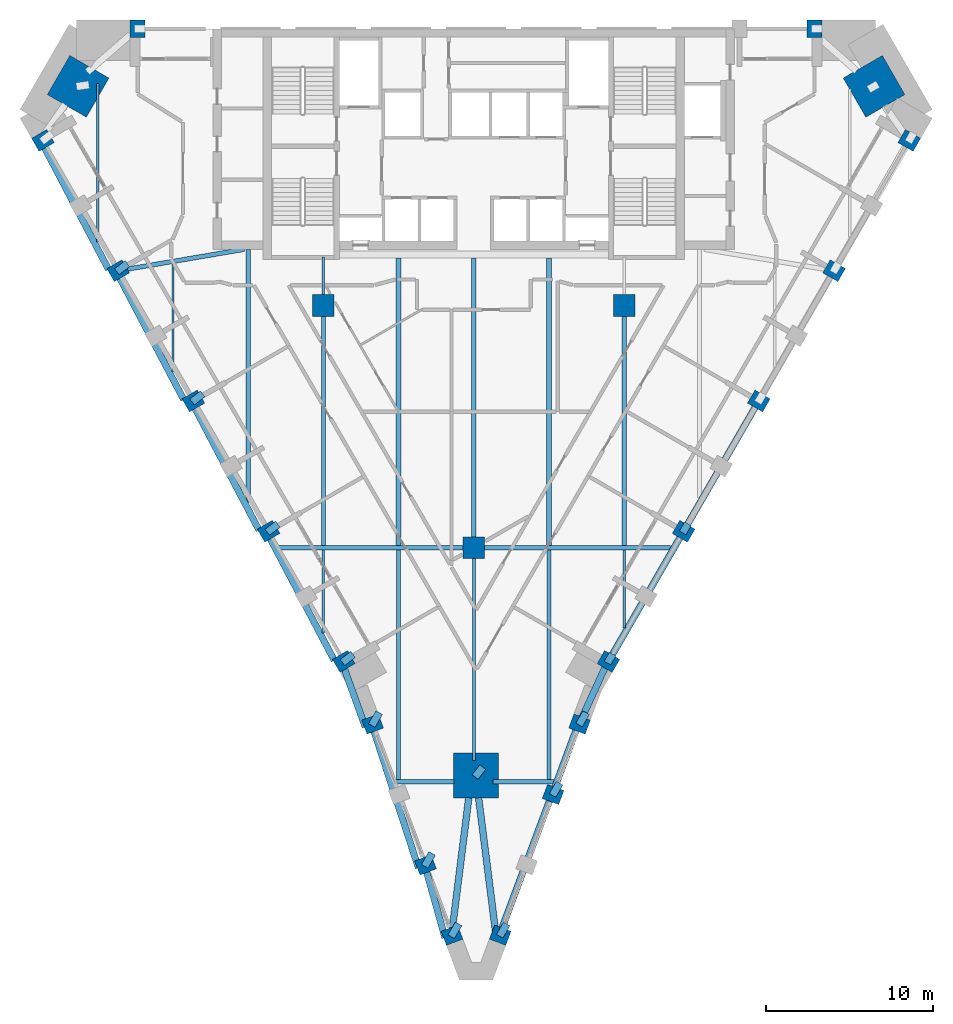
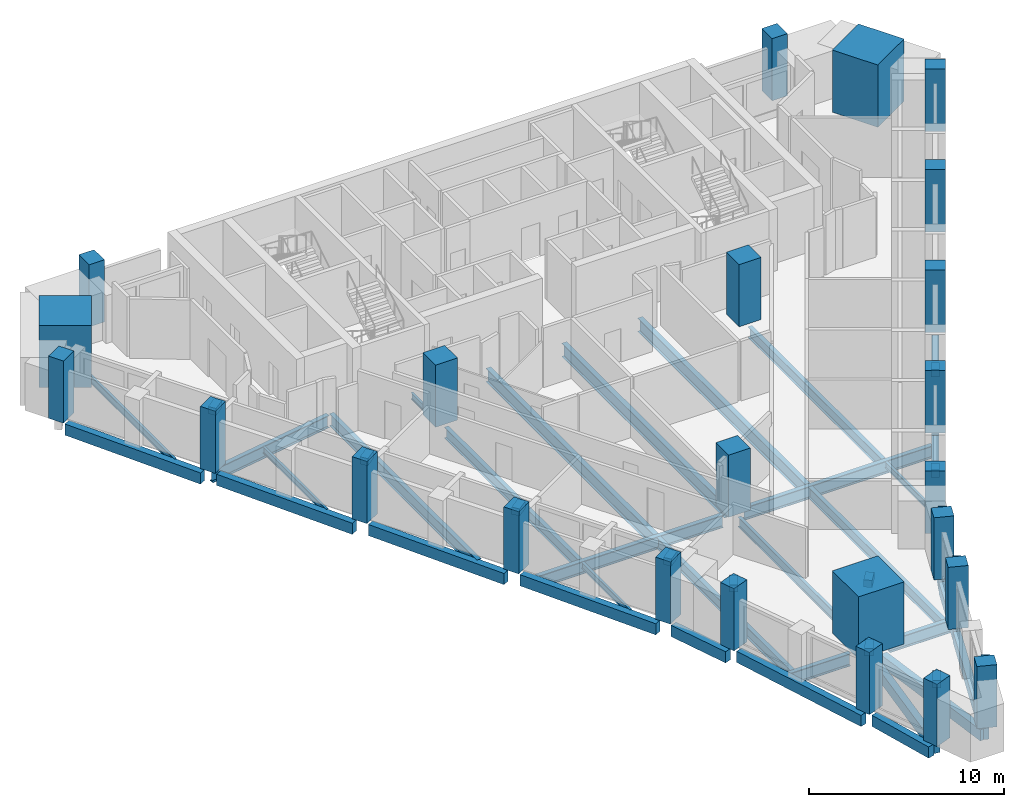
# One storey, part 1 of 10: 46 beams, 24 columns.
"""IFC4 building model written with IfcOpenShell, lengths in metres."""

import ifcopenshell
import ifcopenshell.guid

model = None  # the IFC model being written
_history = None  # IfcOwnerHistory: only IFC2X3 demands one
_inside = {}  # id of a spatial element -> (the spatial element, [elements in it])
_under = {}  # id of a project, library or spatial element -> (it, [spatial elements below it])
_declared = {}  # id of a project -> (the project, [libraries it declares])
_typed = {}  # id of a type object -> (the type object, [elements of that type])
_made_of = {}  # id of a material, layer set ... -> (it, [elements and type objects made of it])


def new_model(schema):
    """Start an empty IFC model of exactly this schema.

    Asked for "IFC4X3", IfcOpenShell would pick the latest addendum, in which some entities
    have other attributes; the version numbers below select the first issue.
    IFC2X3 requires an IfcOwnerHistory on every rooted entity: one is made here for all.
    """
    global model, _history
    if schema == "IFC4X3":
        model = ifcopenshell.file(schema_version=(4, 3, 0, 0))
    else:
        model = ifcopenshell.file(schema=schema)
    _inside.clear()
    _under.clear()
    _declared.clear()
    _typed.clear()
    _made_of.clear()
    _history = None
    if model.schema == "IFC2X3":
        org = make("IfcOrganization", Name="unknown")
        user = make(
            "IfcPersonAndOrganization",
            ThePerson=make("IfcPerson", FamilyName="unknown"),
            TheOrganization=org,
        )
        app = make(
            "IfcApplication",
            ApplicationDeveloper=org,
            Version="unknown",
            ApplicationFullName="unknown",
            ApplicationIdentifier="unknown",
        )
        _history = make(
            "IfcOwnerHistory",
            OwningUser=user,
            OwningApplication=app,
            ChangeAction="ADDED",
            CreationDate=0,
        )
    return model


def make(cls, **values):
    """One entity of the class cls with the attributes given. An attribute that is None is left unset."""
    return model.create_entity(
        cls, **{name: value for name, value in values.items() if value is not None}
    )


def rooted(cls, **values):
    """An entity with a GlobalId (a new one), such as an element, a storey or a relation."""
    return make(cls, GlobalId=ifcopenshell.guid.new(), OwnerHistory=_history, **values)


def si_unit(unit_type, name, prefix=None):
    """IfcSIUnit, for example si_unit("LENGTHUNIT", "METRE", prefix="MILLI")."""
    return make("IfcSIUnit", UnitType=unit_type, Prefix=prefix, Name=name)


def assignment(units):
    """IfcUnitAssignment: the units of a project."""
    return None if units is None else make("IfcUnitAssignment", Units=units)


def point(xyz):
    """IfcCartesianPoint."""
    return None if xyz is None else make("IfcCartesianPoint", Coordinates=xyz)


def direction(xyz):
    """IfcDirection."""
    return None if xyz is None else make("IfcDirection", DirectionRatios=xyz)


def frame(location, z_axis=None, x_axis=None):
    """IfcAxis2Placement3D, a coordinate frame: its origin and axes. An axis left out is left unset."""
    return make(
        "IfcAxis2Placement3D",
        Location=point(location),
        Axis=direction(z_axis),
        RefDirection=direction(x_axis),
    )


def frame_2d(location, x_axis=None):
    """IfcAxis2Placement2D, a coordinate frame in the plane: its origin and x axis."""
    return make(
        "IfcAxis2Placement2D", Location=point(location), RefDirection=direction(x_axis)
    )


def origin():
    """The frame at (0, 0, 0) with its axes left unset."""
    return frame((0.0, 0.0, 0.0))


def origin_2d():
    """The frame at (0, 0) in the plane with its x axis left unset."""
    return frame_2d((0.0, 0.0))


def place(relative_to, where):
    """IfcLocalPlacement: puts the frame where relative to a parent placement (None: the world)."""
    return make(
        "IfcLocalPlacement", PlacementRelTo=relative_to, RelativePlacement=where
    )


def context(
    kind, dimensions, precision=None, world=None, true_north=None, identifier=None
):
    """IfcGeometricRepresentationContext, for example the 3D "Model" context."""
    return make(
        "IfcGeometricRepresentationContext",
        ContextIdentifier=identifier,
        ContextType=kind,
        CoordinateSpaceDimension=dimensions,
        Precision=precision,
        WorldCoordinateSystem=world,
        TrueNorth=true_north,
    )


def subcontext(parent, identifier, kind, view, scale=None):
    """IfcGeometricRepresentationSubContext, for example "Body" below "Model"."""
    return make(
        "IfcGeometricRepresentationSubContext",
        ContextIdentifier=identifier,
        ContextType=kind,
        ParentContext=parent,
        TargetScale=scale,
        TargetView=view,
    )


def project(units=None, contexts=None):
    """IfcProject with its units and contexts."""
    return rooted(
        "IfcProject",
        Name="project",
        RepresentationContexts=contexts,
        UnitsInContext=assignment(units),
    )


def spatial(cls, under=None, at=None, **own):
    """A site, building, storey or space (cls), placed at a placement, below another one or the project."""
    s = rooted(cls, ObjectPlacement=at, **own)
    if under is not None:
        _under.setdefault(under.id(), (under, []))[1].append(s)
    return s


def profile(cls, at=None, kind="AREA", **sizes):
    """A parametric profile (cls). Its sizes go by their IFC names, for example OverallWidth=200.0."""
    return make(cls, ProfileType=kind, Position=at, **sizes)


def rectangle(**sizes):
    """IfcRectangleProfileDef."""
    return profile("IfcRectangleProfileDef", **sizes)


def i_section(**sizes):
    """IfcIShapeProfileDef."""
    return profile("IfcIShapeProfileDef", **sizes)


def extrude(swept, where, along, depth):
    """IfcExtrudedAreaSolid: the profile swept, set in the frame where, extruded along a direction by depth."""
    return make(
        "IfcExtrudedAreaSolid",
        SweptArea=swept,
        Position=where,
        ExtrudedDirection=direction(along),
        Depth=depth,
    )


def shape(context_of_items, identifier, shape_type, items):
    """IfcShapeRepresentation: the items that make up one representation, for example the "Body"."""
    return make(
        "IfcShapeRepresentation",
        ContextOfItems=context_of_items,
        RepresentationIdentifier=identifier,
        RepresentationType=shape_type,
        Items=items,
    )


def material(Name=None, Category=None):
    """IfcMaterial."""
    return make("IfcMaterial", Name=Name, Category=Category)


def material_profile(
    of_material, cross_section, Name=None, Category=None, Priority=None
):
    """IfcMaterialProfile: a cross section and its material."""
    return make(
        "IfcMaterialProfile",
        Name=Name,
        Material=of_material,
        Profile=cross_section,
        Priority=Priority,
        Category=Category,
    )


def profile_set(profiles, Name=None, composite=None):
    """IfcMaterialProfileSet."""
    return make(
        "IfcMaterialProfileSet",
        Name=Name,
        MaterialProfiles=profiles,
        CompositeProfile=composite,
    )


def made_of(thing, what):
    """Note that an element or type object is made of a material, layer set ...; save() writes the relation."""
    if what is not None:
        _made_of.setdefault(what.id(), (what, []))[1].append(thing)
    return thing


def type_object(cls, material=None, **own):
    """A type object (cls), such as IfcWallType, which elements share."""
    return made_of(rooted(cls, **own), material)


def element(
    cls,
    number,
    at=None,
    inside=None,
    cuts=None,
    type_object=None,
    material=None,
    context=None,
    identifier="Body",
    shape_type=None,
    held_by="IfcProductDefinitionShape",
    body=None,
    shapes=None,
    **own,
):
    """One element of the class cls, such as IfcWall. Its Tag is "e" and its number.

    at: its placement. inside: the storey or other place that contains it. cuts: it is an
    opening in that element (IfcRelVoidsElement). A single representation is given by context,
    identifier, shape_type and body (its items); several are given by shapes. held_by: the class
    of the entity that holds the representations. save() writes the other relations.
    """
    e = rooted(cls, Tag="e%d" % number, ObjectPlacement=at, **own)
    if body is not None:
        shapes = [shape(context, identifier, shape_type, body)]
    if shapes is not None:
        e.Representation = make(held_by, Representations=shapes)
    if inside is not None:
        _inside.setdefault(inside.id(), (inside, []))[1].append(e)
    if cuts is not None:
        rooted(
            "IfcRelVoidsElement", RelatingBuildingElement=cuts, RelatedOpeningElement=e
        )
    if type_object is not None:
        _typed.setdefault(type_object.id(), (type_object, []))[1].append(e)
    return made_of(e, material)


def aggregate(whole, parts):
    """IfcRelAggregates: a whole, such as a stair, and the parts it consists of."""
    return rooted("IfcRelAggregates", RelatingObject=whole, RelatedObjects=parts)


def save(model, path):
    """Write the relations noted so far, then the file.

    IfcRelAggregates (storeys below a building ...), IfcRelContainedInSpatialStructure (elements
    in a storey), IfcRelDefinesByType, IfcRelAssociatesMaterial and IfcRelDeclares: one each for
    every whole, place, type object, material and project.
    """
    for whole, parts in _under.values():
        aggregate(whole, parts)
    for where, things in _inside.values():
        rooted(
            "IfcRelContainedInSpatialStructure",
            RelatedElements=things,
            RelatingStructure=where,
        )
    for kind, things in _typed.values():
        rooted("IfcRelDefinesByType", RelatedObjects=things, RelatingType=kind)
    for what, things in _made_of.values():
        rooted("IfcRelAssociatesMaterial", RelatedObjects=things, RelatingMaterial=what)
    for by, libraries in _declared.values():
        rooted("IfcRelDeclares", RelatingContext=by, RelatedDefinitions=libraries)
    model.write(path)


model = new_model("IFC4")

# Units and contexts
model_context = context("Model", 3, precision=1e-05, world=origin(), true_north=direction((0.0, 1.0)))
body_context = subcontext(model_context, "Body", "Model", "MODEL_VIEW")
ifc_project = project(units=[si_unit("LENGTHUNIT", "METRE"), si_unit("AREAUNIT", "SQUARE_METRE"), si_unit("VOLUMEUNIT", "CUBIC_METRE"), si_unit("PLANEANGLEUNIT", "RADIAN"), si_unit("MASSUNIT", "GRAM", prefix="KILO")], contexts=[model_context])

# Site, building, storey
site_placement = place(None, origin())
site = spatial("IfcSite", under=ifc_project, at=site_placement, CompositionType="ELEMENT")
building_placement = place(site_placement, origin())
building = spatial("IfcBuilding", under=site, at=building_placement, Name="Calabash Gate Tower", CompositionType="ELEMENT")
storey_placement = place(building_placement, frame((0.0, 0.0, 164.10009765625)))
storey = spatial("IfcBuildingStorey", under=building, at=storey_placement, Name="L38", CompositionType="ELEMENT", Elevation=164.10009765625)

# Columns
ifc_material_1 = material(Name="Concrete C70/85", Category="concrete")
ifc_material_profile_1 = material_profile(ifc_material_1, rectangle(XDim=1.300048828125, YDim=1.300048828125, at=origin_2d()))
ifc_profile_set_1 = profile_set([ifc_material_profile_1], Name="Concrete C70/85")
column_type_1 = type_object("IfcColumnType", Name="Interior column RC 1300x1300 Concrete C70/85", PredefinedType="COLUMN", material=ifc_profile_set_1)
for number, where, z_axis, x_axis, name in (
    (1, (-9.0, 2.5, 0.0), (0.0, 0.0, 1.0), (1.0, 0.0, 0.0), "Interior column L38 I0"),
    (2, (9.0, 2.5, 0.0), (0.0, 0.0, 1.0), (1.0, 0.0, 0.0), "Interior column L38 I1"),
    (3, (0.0, -12.0, 0.0), (0.0, 0.0, 1.0), (1.0, 0.0, 0.0), "Interior column L38 I2"),
):
    element("IfcColumn", number, at=place(storey_placement, frame(where, z_axis=z_axis, x_axis=x_axis)), inside=storey, type_object=column_type_1, Name=name, PredefinedType="COLUMN", context=body_context, shape_type="SweptSolid", body=[
        extrude(rectangle(XDim=1.300048828125, YDim=1.300048828125, at=origin_2d()), origin(), (0.0, 0.0, 1.0), 3.89990234375),
    ])
ifc_material_2 = material(Name="Concrete C70/85", Category="concrete")
ifc_material_profile_2 = material_profile(ifc_material_2, rectangle(XDim=2.699951171875, YDim=2.699951171875, at=origin_2d()))
ifc_profile_set_2 = profile_set([ifc_material_profile_2], Name="Concrete C70/85")
column_type_2 = type_object("IfcColumnType", Name="Mega column RC 2700x2700 Concrete C70/85", PredefinedType="COLUMN", material=ifc_profile_set_2)
for number, where, z_axis, x_axis, name in (
    (4, (-23.674072265625, 15.610107421875, 0.0), (0.0, 0.0, 1.0), (0.866025386331, -0.50000003023, 0.0), "Mega column L38 NW"),
    (5, (23.948974609375, 15.610107421875, 0.0), (0.0, 0.0, 1.0), (-0.866025386331, -0.50000003023, 0.0), "Mega column L38 NE"),
    (6, (0.136962890625, -25.633056640625, 0.0), (0.0, 0.0, 1.0), (0.0, 1.0, 0.0), "Mega column L38 S"),
):
    element("IfcColumn", number, at=place(storey_placement, frame(where, z_axis=z_axis, x_axis=x_axis)), inside=storey, type_object=column_type_2, Name=name, PredefinedType="COLUMN", context=body_context, shape_type="SweptSolid", body=[
        extrude(rectangle(XDim=2.699951171875, YDim=2.699951171875, at=origin_2d()), origin(), (0.0, 0.0, 1.0), 3.89990234375),
    ])
ifc_material_3 = material(Name="Concrete C60/75", Category="concrete")
ifc_material_profile_3 = material_profile(ifc_material_3, rectangle(XDim=0.89990234375, YDim=1.050048828125, at=origin_2d()))
ifc_profile_set_3 = profile_set([ifc_material_profile_3], Name="Concrete C60/75")
column_type_3 = type_object("IfcColumnType", Name="Perimeter column RC 900x1050 Concrete C60/75", PredefinedType="COLUMN", material=ifc_profile_set_3)
for number, where, z_axis, x_axis, name in (
    (7, (-25.779052734375, 12.3720703125, 0.0), (0.0, 0.0, 1.0), (0.499999984885, -0.866025412511, 0.0), "Perimeter column L38 P20"),
    (8, (-21.279052734375, 4.576904296875, 0.0), (0.0, 0.0, 1.0), (0.499999984885, -0.866025412511, 0.0), "Perimeter column L38 P00"),
    (9, (-16.779052734375, -3.217041015625, 0.0), (0.0, 0.0, 1.0), (0.499999984885, -0.866025412511, 0.0), "Perimeter column L38 P01"),
    (10, (-12.279052734375, -11.010986328125, 0.0), (0.0, 0.0, 1.0), (0.499999984885, -0.866025412511, 0.0), "Perimeter column L38 P02"),
    (11, (-7.779052734375, -18.802978515625, 0.0), (0.0, 0.0, 1.0), (0.499999984885, -0.866025412511, 0.0), "Perimeter column L38 P03"),
    (12, (-6.053955078125, -22.5439453125, 0.0), (0.0, 0.0, 1.0), (0.351822500991, -0.936066732555, 0.0), "Perimeter column L38 P25"),
    (13, (-2.887939453125, -30.968994140625, 0.0), (0.0, 0.0, 1.0), (0.351822500991, -0.936066732555, 0.0), "Perimeter column L38 P26"),
    (14, (-1.303955078125, -35.180908203125, 0.0), (0.0, 0.0, 1.0), (0.351822500991, -0.936066732555, 0.0), "Perimeter column L38 P27"),
    (15, (1.5791015625, -35.180908203125, 0.0), (0.0, 0.0, 1.0), (0.351822451979, 0.936066750977, 0.0), "Perimeter column L38 P28"),
    (16, (4.74609375, -26.757080078125, 0.0), (0.0, 0.0, 1.0), (0.351822451979, 0.936066750977, 0.0), "Perimeter column L38 P08"),
    (17, (6.3291015625, -22.5439453125, 0.0), (0.0, 0.0, 1.0), (0.351822451979, 0.936066750977, 0.0), "Perimeter column L38 P29"),
    (18, (8.053955078125, -18.802978515625, 0.0), (0.0, 0.0, 1.0), (0.500000015115, 0.866025395058, 0.0), "Perimeter column L38 P09"),
    (19, (12.553955078125, -11.010986328125, 0.0), (0.0, 0.0, 1.0), (0.500000015115, 0.866025395058, 0.0), "Perimeter column L38 P10"),
    (20, (17.053955078125, -3.217041015625, 0.0), (0.0, 0.0, 1.0), (0.500000015115, 0.866025395058, 0.0), "Perimeter column L38 P11"),
    (21, (21.553955078125, 4.576904296875, 0.0), (0.0, 0.0, 1.0), (0.500000015115, 0.866025395058, 0.0), "Perimeter column L38 P12"),
    (22, (26.053955078125, 12.3720703125, 0.0), (0.0, 0.0, 1.0), (0.500000015115, 0.866025395058, 0.0), "Perimeter column L38 P13"),
    (23, (20.386962890625, 19.052978515625, 0.0), (0.0, 0.0, 1.0), (-1.0, 0.0, 0.0), "Perimeter column L38 P24"),
    (24, (-20.113037109375, 19.052978515625, 0.0), (0.0, 0.0, 1.0), (-1.0, 0.0, 0.0), "Perimeter column L38 P17"),
):
    element("IfcColumn", number, at=place(storey_placement, frame(where, z_axis=z_axis, x_axis=x_axis)), inside=storey, type_object=column_type_3, Name=name, PredefinedType="COLUMN", context=body_context, shape_type="SweptSolid", body=[
        extrude(rectangle(XDim=0.89990234375, YDim=1.050048828125, at=origin_2d()), origin(), (0.0, 0.0, 1.0), 3.89990234375),
    ])

# Beams
ifc_material_4 = material(Name="Concrete C80/95", Category="concrete")
ifc_material_profile_4 = material_profile(ifc_material_4, rectangle(XDim=0.449951171875, YDim=0.449951171875, at=origin_2d()))
ifc_profile_set_4 = profile_set([ifc_material_profile_4], Name="Concrete C80/95")
beam_type_1 = type_object("IfcBeamType", Name="Column offset link RC 450x450 Concrete C80/95", PredefinedType="BEAM", material=ifc_profile_set_4)
beam_1_placement = place(storey_placement, frame((-21.35888671875, 4.51708984375, 3.50390625), z_axis=(0.796457244667, 0.604694846528, 0.0), x_axis=(-0.604694846528, 0.796457244667, 0.0)))
element("IfcBeam", 25, at=beam_1_placement, inside=storey, type_object=beam_type_1, Name="Column offset link L38 P00", PredefinedType="BEAM", context=body_context, shape_type="SweptSolid", body=[
    extrude(rectangle(XDim=0.449951171875, YDim=0.449951171875, at=origin_2d()), origin(), (0.0, 0.0, 1.0), 0.796875),
])
beam_2_placement = place(storey_placement, frame((-16.85888671875, -3.277099609375, 3.50390625), z_axis=(0.795129751107, 0.606439344786, 0.0), x_axis=(-0.606439344786, 0.795129751107, 0.0)))
element("IfcBeam", 26, at=beam_2_placement, inside=storey, type_object=beam_type_1, Name="Column offset link L38 P01", PredefinedType="BEAM", context=body_context, shape_type="SweptSolid", body=[
    extrude(rectangle(XDim=0.449951171875, YDim=0.449951171875, at=origin_2d()), origin(), (0.0, 0.0, 1.0), 0.79833984375),
])
for number, where, z_axis, x_axis, name in (
    (27, (-12.35888671875, -11.072021484375, 3.50390625), (0.795867172956, 0.605471256965, 0.0), (-0.605471256965, 0.795867172956, 0.0), "Column offset link L38 P02"),
    (28, (-7.85888671875, -18.865966796875, 3.50390625), (0.795867172956, 0.605471256965, 0.0), (-0.605471256965, 0.795867172956, 0.0), "Column offset link L38 P03"),
):
    element("IfcBeam", number, at=place(storey_placement, frame(where, z_axis=z_axis, x_axis=x_axis)), inside=storey, type_object=beam_type_1, Name=name, PredefinedType="BEAM", context=body_context, shape_type="SweptSolid", body=[
        extrude(rectangle(XDim=0.449951171875, YDim=0.449951171875, at=origin_2d()), origin(), (0.0, 0.0, 1.0), 0.797607421875),
    ])
beam_3_placement = place(storey_placement, frame((4.7119140625, -26.81591796875, 3.50390625), z_axis=(0.499433358528, 0.866352307315, 0.0), x_axis=(-0.866352307315, 0.499433358528, 0.0)))
element("IfcBeam", 29, at=beam_3_placement, inside=storey, type_object=beam_type_1, Name="Column offset link L38 P08", PredefinedType="BEAM", context=body_context, shape_type="SweptSolid", body=[
    extrude(rectangle(XDim=0.449951171875, YDim=0.449951171875, at=origin_2d()), origin(), (0.0, 0.0, 1.0), 0.85302734375),
])
beam_4_placement = place(storey_placement, frame((7.998046875, -18.903076171875, 3.50390625), z_axis=(0.499554821267, 0.866282275329, 0.0), x_axis=(-0.866282275329, 0.499554821267, 0.0)))
element("IfcBeam", 30, at=beam_4_placement, inside=storey, type_object=beam_type_1, Name="Column offset link L38 P09", PredefinedType="BEAM", context=body_context, shape_type="SweptSolid", body=[
    extrude(rectangle(XDim=0.449951171875, YDim=0.449951171875, at=origin_2d()), origin(), (0.0, 0.0, 1.0), 0.63037109375),
])
beam_5_placement = place(storey_placement, frame((12.498046875, -11.10888671875, 3.50390625), z_axis=(0.49972245349, 0.866185586049, 0.0), x_axis=(-0.866185586049, 0.49972245349, 0.0)))
element("IfcBeam", 31, at=beam_5_placement, inside=storey, type_object=beam_type_1, Name="Column offset link L38 P10", PredefinedType="BEAM", context=body_context, shape_type="SweptSolid", body=[
    extrude(rectangle(XDim=0.449951171875, YDim=0.449951171875, at=origin_2d()), origin(), (0.0, 0.0, 1.0), 0.630126953125),
])
beam_6_placement = place(storey_placement, frame((-6.10400390625, -22.631103515625, 3.50390625), z_axis=(0.498688521036, 0.866781263634, 0.0), x_axis=(-0.866781263634, 0.498688521036, 0.0)))
element("IfcBeam", 32, at=beam_6_placement, inside=storey, type_object=beam_type_1, Name="Column offset link L38 P25", PredefinedType="BEAM", context=body_context, shape_type="SweptSolid", body=[
    extrude(rectangle(XDim=0.449951171875, YDim=0.449951171875, at=origin_2d()), origin(), (0.0, 0.0, 1.0), 0.88623046875),
])
beam_7_placement = place(storey_placement, frame((-2.93798828125, -31.055908203125, 3.50390625), z_axis=(0.502447992407, 0.864607433999, 0.0), x_axis=(-0.864607433999, 0.502447992407, 0.0)))
element("IfcBeam", 33, at=beam_7_placement, inside=storey, type_object=beam_type_1, Name="Column offset link L38 P26", PredefinedType="BEAM", context=body_context, shape_type="SweptSolid", body=[
    extrude(rectangle(XDim=0.449951171875, YDim=0.449951171875, at=origin_2d()), origin(), (0.0, 0.0, 1.0), 0.8857421875),
])
beam_8_placement = place(storey_placement, frame((-1.35400390625, -35.26806640625, 3.50390625), z_axis=(0.499642793338, 0.866231538947, 0.0), x_axis=(-0.866231538947, 0.499642793338, 0.0)))
element("IfcBeam", 34, at=beam_8_placement, inside=storey, type_object=beam_type_1, Name="Column offset link L38 P27", PredefinedType="BEAM", context=body_context, shape_type="SweptSolid", body=[
    extrude(rectangle(XDim=0.449951171875, YDim=0.449951171875, at=origin_2d()), origin(), (0.0, 0.0, 1.0), 0.884521484375),
])
beam_9_placement = place(storey_placement, frame((1.547119140625, -35.239990234375, 3.50390625), z_axis=(0.497991373669, 0.867181983065, 0.0), x_axis=(-0.867181983065, 0.497991373669, 0.0)))
element("IfcBeam", 35, at=beam_9_placement, inside=storey, type_object=beam_type_1, Name="Column offset link L38 P28", PredefinedType="BEAM", context=body_context, shape_type="SweptSolid", body=[
    extrude(rectangle(XDim=0.449951171875, YDim=0.449951171875, at=origin_2d()), origin(), (0.0, 0.0, 1.0), 0.85107421875),
])
beam_10_placement = place(storey_placement, frame((6.297119140625, -22.60302734375, 3.50390625), z_axis=(0.497001971975, 0.867749410747, 0.0), x_axis=(-0.867749410747, 0.497001971975, 0.0)))
element("IfcBeam", 36, at=beam_10_placement, inside=storey, type_object=beam_type_1, Name="Column offset link L38 P29", PredefinedType="BEAM", context=body_context, shape_type="SweptSolid", body=[
    extrude(rectangle(XDim=0.449951171875, YDim=0.449951171875, at=origin_2d()), origin(), (0.0, 0.0, 1.0), 0.852783203125),
])
beam_11_placement = place(storey_placement, frame((0.075927734375, -25.7109375, 3.50390625), z_axis=(0.6177499422, 0.786374598338, 0.0), x_axis=(-0.786374598338, 0.6177499422, 0.0)))
element("IfcBeam", 37, at=beam_11_placement, inside=storey, type_object=beam_type_1, Name="Column offset link L38 S", PredefinedType="BEAM", context=body_context, shape_type="SweptSolid", body=[
    extrude(rectangle(XDim=0.449951171875, YDim=0.449951171875, at=origin_2d()), origin(), (0.0, 0.0, 1.0), 0.7529296875),
])
ifc_material_5 = material(Name="Concrete C50/60", Category="concrete")
ifc_material_profile_5 = material_profile(ifc_material_5, rectangle(XDim=0.39990234375, YDim=0.699951171875, at=origin_2d()))
ifc_profile_set_5 = profile_set([ifc_material_profile_5], Name="Concrete C50/60")
beam_type_2 = type_object("IfcBeamType", Name="Edge beam RC 400x700 Concrete C50/60", PredefinedType="BEAM", material=ifc_profile_set_5)
beam_12_placement = place(storey_placement, frame((-16.68408203125, -3.65087890625, -0.52001953125), z_axis=(0.465570473205, -0.885010810374, 0.0), x_axis=(0.885010810374, 0.465570473205, 0.0)))
element("IfcBeam", 38, at=beam_12_placement, inside=storey, type_object=beam_type_2, Name="Edge beam L38 1", PredefinedType="BEAM", context=body_context, shape_type="SweptSolid", body=[
    extrude(rectangle(XDim=0.39990234375, YDim=0.699951171875, at=origin_2d()), origin(), (0.0, 0.0, 1.0), 8.235107421875),
])
beam_13_placement = place(storey_placement, frame((-12.18408203125, -11.443115234375, -0.52001953125), z_axis=(0.465484978649, -0.885055780532, 0.0), x_axis=(0.885055780532, 0.465484978649, 0.0)))
element("IfcBeam", 39, at=beam_13_placement, inside=storey, type_object=beam_type_2, Name="Edge beam L38 2", PredefinedType="BEAM", context=body_context, shape_type="SweptSolid", body=[
    extrude(rectangle(XDim=0.39990234375, YDim=0.699951171875, at=origin_2d()), origin(), (0.0, 0.0, 1.0), 8.236572265625),
])
beam_14_placement = place(storey_placement, frame((-7.73291015625, -19.26904296875, -0.52001953125), z_axis=(0.338776020722, -0.940867051067, 0.0), x_axis=(0.940867051067, 0.338776020722, 0.0)))
element("IfcBeam", 40, at=beam_14_placement, inside=storey, type_object=beam_type_2, Name="Edge beam L38 3", PredefinedType="BEAM", context=body_context, shape_type="SweptSolid", body=[
    extrude(rectangle(XDim=0.39990234375, YDim=0.699951171875, at=origin_2d()), origin(), (0.0, 0.0, 1.0), 3.6689453125),
])
beam_15_placement = place(storey_placement, frame((-5.970947265625, -22.962890625, -0.52001953125), z_axis=(0.309089924102, -0.951032816899, 0.0), x_axis=(0.951032816899, 0.309089924102, 0.0)))
element("IfcBeam", 41, at=beam_15_placement, inside=storey, type_object=beam_type_2, Name="Edge beam L38 4", PredefinedType="BEAM", context=body_context, shape_type="SweptSolid", body=[
    extrude(rectangle(XDim=0.39990234375, YDim=0.699951171875, at=origin_2d()), origin(), (0.0, 0.0, 1.0), 8.599365234375),
])
beam_16_placement = place(storey_placement, frame((-2.81591796875, -31.406005859375, -0.52001953125), z_axis=(0.269004169769, -0.963139012109, 0.0), x_axis=(0.963139012109, 0.269004169769, 0.0)))
element("IfcBeam", 42, at=beam_16_placement, inside=storey, type_object=beam_type_2, Name="Edge beam L38 5", PredefinedType="BEAM", context=body_context, shape_type="SweptSolid", body=[
    extrude(rectangle(XDim=0.39990234375, YDim=0.699951171875, at=origin_2d()), origin(), (0.0, 0.0, 1.0), 4.081298828125),
])
beam_17_placement = place(storey_placement, frame((-1.3330078125, -35.196044921875, -0.52001953125), z_axis=(0.124240929665, 0.99225208057, 0.0), x_axis=(-0.99225208057, 0.124240929665, 0.0)))
element("IfcBeam", 43, at=beam_17_placement, inside=storey, type_object=beam_type_2, Name="Edge beam L38 6", PredefinedType="BEAM", context=body_context, shape_type="SweptSolid", body=[
    extrude(rectangle(XDim=0.39990234375, YDim=0.699951171875, at=origin_2d()), origin(), (0.0, 0.0, 1.0), 8.306396484375),
])
beam_18_placement = place(storey_placement, frame((0.287109375, -26.9541015625, -0.52001953125), z_axis=(0.125640473024, -0.99207583961, 0.0), x_axis=(0.99207583961, 0.125640473024, 0.0)))
element("IfcBeam", 44, at=beam_18_placement, inside=storey, type_object=beam_type_2, Name="Edge beam L38 7", PredefinedType="BEAM", context=body_context, shape_type="SweptSolid", body=[
    extrude(rectangle(XDim=0.39990234375, YDim=0.699951171875, at=origin_2d()), origin(), (0.0, 0.0, 1.0), 8.47607421875),
])
beam_19_placement = place(storey_placement, frame((1.451904296875, -35.39208984375, -0.52001953125), z_axis=(0.349546583338, 0.936918985866, 0.0), x_axis=(-0.936918985866, 0.349546583338, 0.0)))
element("IfcBeam", 45, at=beam_19_placement, inside=storey, type_object=beam_type_2, Name="Edge beam L38 8", PredefinedType="BEAM", context=body_context, shape_type="SweptSolid", body=[
    extrude(rectangle(XDim=0.39990234375, YDim=0.699951171875, at=origin_2d()), origin(), (0.0, 0.0, 1.0), 8.808837890625),
])
beam_20_placement = place(storey_placement, frame((4.618896484375, -26.968017578125, -0.52001953125), z_axis=(0.346923175708, 0.93789354948, 0.0), x_axis=(-0.93789354948, 0.346923175708, 0.0)))
element("IfcBeam", 46, at=beam_20_placement, inside=storey, type_object=beam_type_2, Name="Edge beam L38 9", PredefinedType="BEAM", context=body_context, shape_type="SweptSolid", body=[
    extrude(rectangle(XDim=0.39990234375, YDim=0.699951171875, at=origin_2d()), origin(), (0.0, 0.0, 1.0), 4.3095703125),
])
beam_21_placement = place(storey_placement, frame((6.199951171875, -22.763916015625, -0.52001953125), z_axis=(0.416507314735, 0.909132364825, 0.0), x_axis=(-0.909132364825, 0.416507314735, 0.0)))
element("IfcBeam", 47, at=beam_21_placement, inside=storey, type_object=beam_type_2, Name="Edge beam L38 10", PredefinedType="BEAM", context=body_context, shape_type="SweptSolid", body=[
    extrude(rectangle(XDim=0.39990234375, YDim=0.699951171875, at=origin_2d()), origin(), (0.0, 0.0, 1.0), 3.935546875),
])
beam_22_placement = place(storey_placement, frame((8.06298828125, -18.7900390625, -0.52001953125), z_axis=(0.50002821712, 0.86600911201, 0.0), x_axis=(-0.86600911201, 0.50002821712, 0.0)))
element("IfcBeam", 48, at=beam_22_placement, inside=storey, type_object=beam_type_2, Name="Edge beam L38 11", PredefinedType="BEAM", context=body_context, shape_type="SweptSolid", body=[
    extrude(rectangle(XDim=0.39990234375, YDim=0.699951171875, at=origin_2d()), origin(), (0.0, 0.0, 1.0), 8.54736328125),
])
beam_23_placement = place(storey_placement, frame((12.56298828125, -10.992919921875, -0.52001953125), z_axis=(0.500189053503, 0.865916226177, 0.0), x_axis=(-0.865916226177, 0.500189053503, 0.0)))
element("IfcBeam", 49, at=beam_23_placement, inside=storey, type_object=beam_type_2, Name="Edge beam L38 12", PredefinedType="BEAM", context=body_context, shape_type="SweptSolid", body=[
    extrude(rectangle(XDim=0.39990234375, YDim=0.699951171875, at=origin_2d()), origin(), (0.0, 0.0, 1.0), 8.544677734375),
])
beam_24_placement = place(storey_placement, frame((-25.68408203125, 11.93798828125, -0.52001953125), z_axis=(0.465570473205, -0.885010810374, 0.0), x_axis=(0.885010810374, 0.465570473205, 0.0)))
element("IfcBeam", 50, at=beam_24_placement, inside=storey, type_object=beam_type_2, Name="Edge beam L38 19", PredefinedType="BEAM", context=body_context, shape_type="SweptSolid", body=[
    extrude(rectangle(XDim=0.39990234375, YDim=0.699951171875, at=origin_2d()), origin(), (0.0, 0.0, 1.0), 8.235107421875),
])
beam_25_placement = place(storey_placement, frame((-21.18408203125, 4.14306640625, -0.52001953125), z_axis=(0.465619339388, -0.884985102015, 0.0), x_axis=(0.884985102015, 0.465619339388, 0.0)))
element("IfcBeam", 51, at=beam_25_placement, inside=storey, type_object=beam_type_2, Name="Edge beam L38 20", PredefinedType="BEAM", context=body_context, shape_type="SweptSolid", body=[
    extrude(rectangle(XDim=0.39990234375, YDim=0.699951171875, at=origin_2d()), origin(), (0.0, 0.0, 1.0), 8.234130859375),
])
ifc_material_6 = material(Name="Steel ASTM A992 Gr50", Category="steel")
ifc_material_profile_6 = material_profile(ifc_material_6, i_section(OverallWidth=0.1396484375, OverallDepth=0.398681640625, WebThickness=0.00634765625, FlangeThickness=0.0087890625, FilletRadius=0.01025390625, at=origin_2d()))
ifc_profile_set_6 = profile_set([ifc_material_profile_6], Name="Steel ASTM A992 Gr50")
beam_type_3 = type_object("IfcBeamType", Name="Floor beam W16x26 ASTM A992 Gr50", PredefinedType="BEAM", material=ifc_profile_set_6)
beam_26_placement = place(storey_placement, frame((-18.0, -1.492919921875, -0.369140625), z_axis=(0.0, 1.0, 0.0), x_axis=(-1.0, 0.0, 0.0)))
element("IfcBeam", 52, at=beam_26_placement, inside=storey, type_object=beam_type_3, Name="Floor beam L38 2", PredefinedType="BEAM", context=body_context, shape_type="SweptSolid", body=[
    extrude(i_section(OverallWidth=0.1396484375, OverallDepth=0.398681640625, WebThickness=0.00634765625, FlangeThickness=0.0087890625, FilletRadius=0.01025390625, at=origin_2d()), origin(), (0.0, 0.0, 1.0), 6.50390625),
])
beam_27_placement = place(storey_placement, frame((-9.0, -17.0830078125, -0.369140625), z_axis=(0.0, 1.0, 0.0), x_axis=(-1.0, 0.0, 0.0)))
element("IfcBeam", 53, at=beam_27_placement, inside=storey, type_object=beam_type_3, Name="Floor beam L38 4", PredefinedType="BEAM", context=body_context, shape_type="SweptSolid", body=[
    extrude(i_section(OverallWidth=0.1396484375, OverallDepth=0.398681640625, WebThickness=0.00634765625, FlangeThickness=0.0087890625, FilletRadius=0.01025390625, at=origin_2d()), origin(), (0.0, 0.0, 1.0), 4.949951171875),
])
beam_28_placement = place(storey_placement, frame((-9.0, 3.14990234375, -0.369140625), z_axis=(0.0, 1.0, 0.0), x_axis=(-1.0, 0.0, 0.0)))
element("IfcBeam", 54, at=beam_28_placement, inside=storey, type_object=beam_type_3, Name="Floor beam L38 6", PredefinedType="BEAM", context=body_context, shape_type="SweptSolid", body=[
    extrude(i_section(OverallWidth=0.1396484375, OverallDepth=0.398681640625, WebThickness=0.00634765625, FlangeThickness=0.0087890625, FilletRadius=0.01025390625, at=origin_2d()), origin(), (0.0, 0.0, 1.0), 2.253173828125),
])
beam_29_placement = place(storey_placement, frame((9.0, -16.799072265625, -0.369140625), z_axis=(0.0, 1.0, 0.0), x_axis=(-1.0, 0.0, 0.0)))
element("IfcBeam", 55, at=beam_29_placement, inside=storey, type_object=beam_type_3, Name="Floor beam L38 13", PredefinedType="BEAM", context=body_context, shape_type="SweptSolid", body=[
    extrude(i_section(OverallWidth=0.1396484375, OverallDepth=0.398681640625, WebThickness=0.00634765625, FlangeThickness=0.0087890625, FilletRadius=0.01025390625, at=origin_2d()), origin(), (0.0, 0.0, 1.0), 4.666015625),
])
ifc_material_7 = material(Name="Steel ASTM A992 Gr50", Category="steel")
ifc_material_profile_7 = material_profile(ifc_material_7, i_section(OverallWidth=0.15234375, OverallDepth=0.44970703125, WebThickness=0.007568359375, FlangeThickness=0.0107421875, FilletRadius=0.01025390625, at=origin_2d()))
ifc_profile_set_7 = profile_set([ifc_material_profile_7], Name="Steel ASTM A992 Gr50")
beam_type_4 = type_object("IfcBeamType", Name="Floor beam W18x35 ASTM A992 Gr50", PredefinedType="BEAM", material=ifc_profile_set_7)
beam_30_placement = place(storey_placement, frame((-22.5, 6.300048828125, -0.39306640625), z_axis=(0.0, 1.0, 0.0), x_axis=(-1.0, 0.0, 0.0)))
element("IfcBeam", 56, at=beam_30_placement, inside=storey, type_object=beam_type_4, Name="Floor beam L38 1", PredefinedType="BEAM", context=body_context, shape_type="SweptSolid", body=[
    extrude(i_section(OverallWidth=0.15234375, OverallDepth=0.44970703125, WebThickness=0.007568359375, FlangeThickness=0.0107421875, FilletRadius=0.01025390625, at=origin_2d()), origin(), (0.0, 0.0, 1.0), 9.47705078125),
])
ifc_material_8 = material(Name="Steel ASTM A992 Gr50", Category="steel")
ifc_material_profile_8 = material_profile(ifc_material_8, i_section(OverallWidth=0.1787109375, OverallDepth=0.60205078125, WebThickness=0.010986328125, FlangeThickness=0.014892578125, FilletRadius=0.0126953125, at=origin_2d()))
ifc_profile_set_8 = profile_set([ifc_material_profile_8], Name="Steel ASTM A992 Gr50")
beam_type_5 = type_object("IfcBeamType", Name="Floor beam W24x62 ASTM A992 Gr50", PredefinedType="BEAM", material=ifc_profile_set_8)
beam_31_placement = place(storey_placement, frame((0.0, -24.712890625, -0.47119140625), z_axis=(0.0, 1.0, 0.0), x_axis=(-1.0, 0.0, 0.0)))
element("IfcBeam", 57, at=beam_31_placement, inside=storey, type_object=beam_type_5, Name="Floor beam L38 9", PredefinedType="BEAM", context=body_context, shape_type="SweptSolid", body=[
    extrude(i_section(OverallWidth=0.1787109375, OverallDepth=0.60205078125, WebThickness=0.010986328125, FlangeThickness=0.014892578125, FilletRadius=0.0126953125, at=origin_2d()), origin(), (0.0, 0.0, 1.0), 12.06298828125),
])
ifc_material_9 = material(Name="Steel ASTM A992 Gr50", Category="steel")
ifc_material_profile_9 = material_profile(ifc_material_9, i_section(OverallWidth=0.25390625, OverallDepth=0.67822265625, WebThickness=0.01171875, FlangeThickness=0.016357421875, FilletRadius=0.01513671875, at=origin_2d()))
ifc_profile_set_9 = profile_set([ifc_material_profile_9], Name="Steel ASTM A992 Gr50")
beam_type_6 = type_object("IfcBeamType", Name="Floor beam W27x84 ASTM A992 Gr50", PredefinedType="BEAM", material=ifc_profile_set_9)
beam_32_placement = place(storey_placement, frame((-9.0, -11.866943359375, -0.509033203125), z_axis=(0.0, 1.0, 0.0), x_axis=(-1.0, 0.0, 0.0)))
element("IfcBeam", 58, at=beam_32_placement, inside=storey, type_object=beam_type_6, Name="Floor beam L38 5", PredefinedType="BEAM", context=body_context, shape_type="SweptSolid", body=[
    extrude(i_section(OverallWidth=0.25390625, OverallDepth=0.67822265625, WebThickness=0.01171875, FlangeThickness=0.016357421875, FilletRadius=0.01513671875, at=origin_2d()), origin(), (0.0, 0.0, 1.0), 13.717041015625),
])
beam_33_placement = place(storey_placement, frame((-4.5, -25.89404296875, -0.509033203125), z_axis=(0.0, 1.0, 0.0), x_axis=(-1.0, 0.0, 0.0)))
element("IfcBeam", 59, at=beam_33_placement, inside=storey, type_object=beam_type_6, Name="Floor beam L38 7", PredefinedType="BEAM", context=body_context, shape_type="SweptSolid", body=[
    extrude(i_section(OverallWidth=0.25390625, OverallDepth=0.67822265625, WebThickness=0.01171875, FlangeThickness=0.016357421875, FilletRadius=0.01513671875, at=origin_2d()), origin(), (0.0, 0.0, 1.0), 13.760986328125),
])
beam_34_placement = place(storey_placement, frame((4.5, -25.866943359375, -0.509033203125), z_axis=(0.0, 1.0, 0.0), x_axis=(-1.0, 0.0, 0.0)))
element("IfcBeam", 60, at=beam_34_placement, inside=storey, type_object=beam_type_6, Name="Floor beam L38 11", PredefinedType="BEAM", context=body_context, shape_type="SweptSolid", body=[
    extrude(i_section(OverallWidth=0.25390625, OverallDepth=0.67822265625, WebThickness=0.01171875, FlangeThickness=0.016357421875, FilletRadius=0.01513671875, at=origin_2d()), origin(), (0.0, 0.0, 1.0), 13.73388671875),
])
beam_35_placement = place(storey_placement, frame((9.0, -11.866943359375, -0.509033203125), z_axis=(0.0, 1.0, 0.0), x_axis=(-1.0, 0.0, 0.0)))
element("IfcBeam", 61, at=beam_35_placement, inside=storey, type_object=beam_type_6, Name="Floor beam L38 14", PredefinedType="BEAM", context=body_context, shape_type="SweptSolid", body=[
    extrude(i_section(OverallWidth=0.25390625, OverallDepth=0.67822265625, WebThickness=0.01171875, FlangeThickness=0.016357421875, FilletRadius=0.01513671875, at=origin_2d()), origin(), (0.0, 0.0, 1.0), 13.717041015625),
])
ifc_material_10 = material(Name="Steel ASTM A992 Gr50", Category="steel")
ifc_material_profile_10 = material_profile(ifc_material_10, i_section(OverallWidth=0.2666015625, OverallDepth=0.7568359375, WebThickness=0.013916015625, FlangeThickness=0.019287109375, FilletRadius=0.0166015625, at=origin_2d()))
ifc_profile_set_10 = profile_set([ifc_material_profile_10], Name="Steel ASTM A992 Gr50")
beam_type_7 = type_object("IfcBeamType", Name="Floor beam W30x108 ASTM A992 Gr50", PredefinedType="BEAM", material=ifc_profile_set_10)
beam_36_placement = place(storey_placement, frame((-13.5, -9.2890625, -0.548095703125), z_axis=(0.0, 1.0, 0.0), x_axis=(-1.0, 0.0, 0.0)))
element("IfcBeam", 62, at=beam_36_placement, inside=storey, type_object=beam_type_7, Name="Floor beam L38 3", PredefinedType="BEAM", context=body_context, shape_type="SweptSolid", body=[
    extrude(i_section(OverallWidth=0.2666015625, OverallDepth=0.7568359375, WebThickness=0.013916015625, FlangeThickness=0.019287109375, FilletRadius=0.0166015625, at=origin_2d()), origin(), (0.0, 0.0, 1.0), 15.14208984375),
])
ifc_material_11 = material(Name="Steel ASTM A992 Gr50", Category="steel")
ifc_material_profile_11 = material_profile(ifc_material_11, i_section(OverallWidth=0.2919921875, OverallDepth=0.845703125, WebThickness=0.015380859375, FlangeThickness=0.0244140625, FilletRadius=0.017822265625, at=origin_2d()))
ifc_profile_set_11 = profile_set([ifc_material_profile_11], Name="Steel ASTM A992 Gr50")
beam_type_8 = type_object("IfcBeamType", Name="Floor beam W33x141 ASTM A992 Gr50", PredefinedType="BEAM", material=ifc_profile_set_11)
beam_37_placement = place(storey_placement, frame((-4.5, -11.866943359375, -0.593017578125), z_axis=(0.0, 1.0, 0.0), x_axis=(-1.0, 0.0, 0.0)))
element("IfcBeam", 63, at=beam_37_placement, inside=storey, type_object=beam_type_8, Name="Floor beam L38 8", PredefinedType="BEAM", context=body_context, shape_type="SweptSolid", body=[
    extrude(i_section(OverallWidth=0.2919921875, OverallDepth=0.845703125, WebThickness=0.015380859375, FlangeThickness=0.0244140625, FilletRadius=0.017822265625, at=origin_2d()), origin(), (0.0, 0.0, 1.0), 17.218994140625),
])
beam_38_placement = place(storey_placement, frame((0.0, -11.35009765625, -0.593017578125), z_axis=(0.0, 1.0, 0.0), x_axis=(-1.0, 0.0, 0.0)))
element("IfcBeam", 64, at=beam_38_placement, inside=storey, type_object=beam_type_8, Name="Floor beam L38 10", PredefinedType="BEAM", context=body_context, shape_type="SweptSolid", body=[
    extrude(i_section(OverallWidth=0.2919921875, OverallDepth=0.845703125, WebThickness=0.015380859375, FlangeThickness=0.0244140625, FilletRadius=0.017822265625, at=origin_2d()), origin(), (0.0, 0.0, 1.0), 16.7021484375),
])
beam_39_placement = place(storey_placement, frame((4.5, -11.866943359375, -0.593017578125), z_axis=(0.0, 1.0, 0.0), x_axis=(-1.0, 0.0, 0.0)))
element("IfcBeam", 65, at=beam_39_placement, inside=storey, type_object=beam_type_8, Name="Floor beam L38 12", PredefinedType="BEAM", context=body_context, shape_type="SweptSolid", body=[
    extrude(i_section(OverallWidth=0.2919921875, OverallDepth=0.845703125, WebThickness=0.015380859375, FlangeThickness=0.0244140625, FilletRadius=0.017822265625, at=origin_2d()), origin(), (0.0, 0.0, 1.0), 17.218994140625),
])
ifc_material_12 = material(Name="Steel ASTM A992 Gr50", Category="steel")
ifc_material_profile_12 = material_profile(ifc_material_12, i_section(OverallWidth=0.2666015625, OverallDepth=0.77978515625, WebThickness=0.0166015625, FlangeThickness=0.030029296875, FilletRadius=0.0166015625, at=origin_2d()))
ifc_profile_set_12 = profile_set([ifc_material_profile_12], Name="Steel ASTM A992 Gr50")
beam_type_9 = type_object("IfcBeamType", Name="Girder W30x148 ASTM A992 Gr50", PredefinedType="BEAM", material=ifc_profile_set_12)
beam_40_placement = place(storey_placement, frame((-21.3701171875, 4.56201171875, -0.56005859375), z_axis=(0.985896087356, 0.167358611778, 0.0), x_axis=(-0.167358611778, 0.985896087356, 0.0)))
element("IfcBeam", 66, at=beam_40_placement, inside=storey, type_object=beam_type_9, Name="Girder L38 2", PredefinedType="BEAM", context=body_context, shape_type="SweptSolid", body=[
    extrude(i_section(OverallWidth=0.2666015625, OverallDepth=0.77978515625, WebThickness=0.0166015625, FlangeThickness=0.030029296875, FilletRadius=0.0166015625, at=origin_2d()), origin(), (0.0, 0.0, 1.0), 7.7431640625),
])
beam_41_placement = place(storey_placement, frame((-11.677978515625, -12.0, -0.56005859375), z_axis=(1.0, 0.0, 0.0), x_axis=(0.0, 1.0, 0.0)))
element("IfcBeam", 67, at=beam_41_placement, inside=storey, type_object=beam_type_9, Name="Girder L38 4", PredefinedType="BEAM", context=body_context, shape_type="SweptSolid", body=[
    extrude(i_section(OverallWidth=0.2666015625, OverallDepth=0.77978515625, WebThickness=0.0166015625, FlangeThickness=0.030029296875, FilletRadius=0.0166015625, at=origin_2d()), origin(), (0.0, 0.0, 1.0), 11.028076171875),
])
beam_42_placement = place(storey_placement, frame((0.64990234375, -12.0, -0.56005859375), z_axis=(1.0, 0.0, 0.0), x_axis=(0.0, 1.0, 0.0)))
element("IfcBeam", 68, at=beam_42_placement, inside=storey, type_object=beam_type_9, Name="Girder L38 5", PredefinedType="BEAM", context=body_context, shape_type="SweptSolid", body=[
    extrude(i_section(OverallWidth=0.2666015625, OverallDepth=0.77978515625, WebThickness=0.0166015625, FlangeThickness=0.030029296875, FilletRadius=0.0166015625, at=origin_2d()), origin(), (0.0, 0.0, 1.0), 11.123046875),
])
beam_43_placement = place(storey_placement, frame((-4.800048828125, -26.0, -0.56005859375), z_axis=(1.0, 0.0, 0.0), x_axis=(0.0, 1.0, 0.0)))
element("IfcBeam", 69, at=beam_43_placement, inside=storey, type_object=beam_type_9, Name="Girder L38 6", PredefinedType="BEAM", context=body_context, shape_type="SweptSolid", body=[
    extrude(i_section(OverallWidth=0.2666015625, OverallDepth=0.77978515625, WebThickness=0.0166015625, FlangeThickness=0.030029296875, FilletRadius=0.0166015625, at=origin_2d()), origin(), (0.0, 0.0, 1.0), 3.612060546875),
])
beam_44_placement = place(storey_placement, frame((1.156982421875, -26.0, -0.56005859375), z_axis=(1.0, 0.0, 0.0), x_axis=(0.0, 1.0, 0.0)))
element("IfcBeam", 70, at=beam_44_placement, inside=storey, type_object=beam_type_9, Name="Girder L38 7", PredefinedType="BEAM", context=body_context, shape_type="SweptSolid", body=[
    extrude(i_section(OverallWidth=0.2666015625, OverallDepth=0.77978515625, WebThickness=0.0166015625, FlangeThickness=0.030029296875, FilletRadius=0.0166015625, at=origin_2d()), origin(), (0.0, 0.0, 1.0), 3.64013671875),
])

save(model, "model.ifc")
